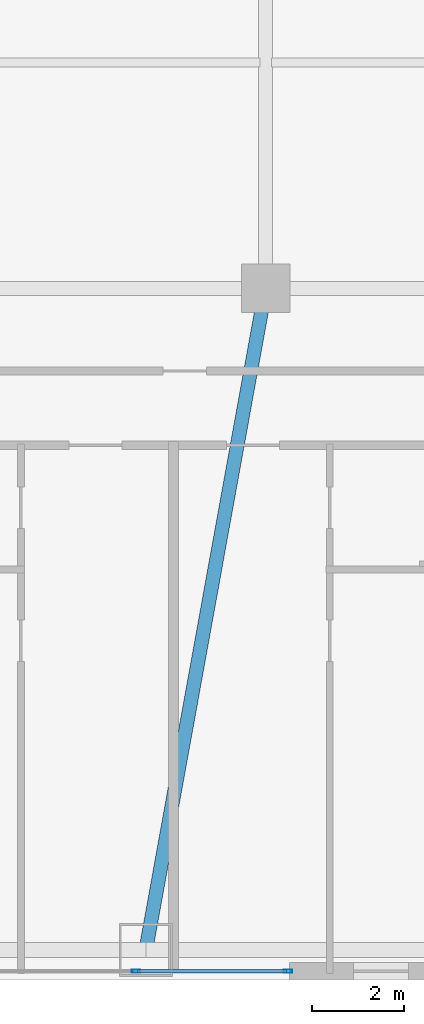
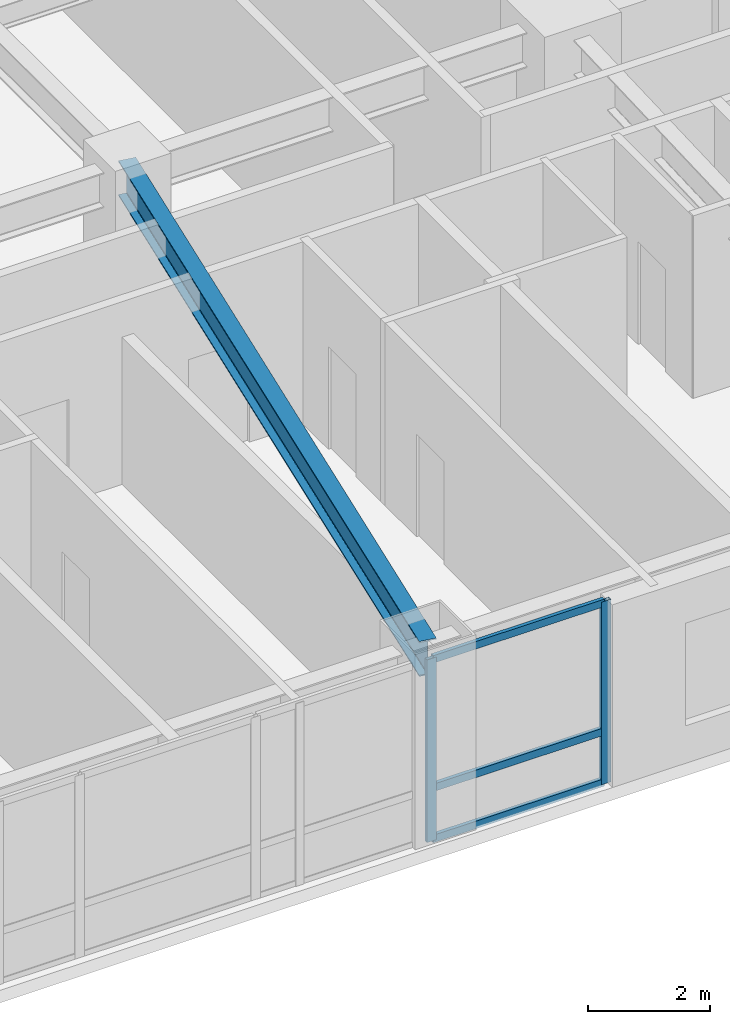
# One storey, part 9 of 28: 5 members, 1 beam, 1 element without a shape of its own.
"""IFC4 building model written with IfcOpenShell, lengths in metres."""

from ifc_helpers import new_model, si_unit, direction, frame, origin, origin_2d, place, context, subcontext, project, spatial, hollow_rectangle, i_section, extrude, material, layer, layer_set, material_profile, profile_set, type_object, element, aggregate, save


model = new_model("IFC4")

# Units and contexts
model_context = context("Model", 3, precision=1e-05, world=origin(), true_north=direction((0.0, 1.0)))
body_context = subcontext(model_context, "Body", "Model", "MODEL_VIEW")
ifc_project = project(units=[si_unit("LENGTHUNIT", "METRE"), si_unit("AREAUNIT", "SQUARE_METRE"), si_unit("VOLUMEUNIT", "CUBIC_METRE"), si_unit("PLANEANGLEUNIT", "RADIAN"), si_unit("MASSUNIT", "GRAM", prefix="KILO")], contexts=[model_context])

# Site, building, storey
site_placement = place(None, origin())
site = spatial("IfcSite", under=ifc_project, at=site_placement, CompositionType="ELEMENT")
building_placement = place(site_placement, origin())
building = spatial("IfcBuilding", under=site, at=building_placement, Name="Voryun Gate Residences", CompositionType="ELEMENT")
storey_placement = place(building_placement, frame((0.0, 0.0, 61.10009765625)))
storey = spatial("IfcBuildingStorey", under=building, at=storey_placement, Name="L14", CompositionType="ELEMENT", Elevation=61.10009765625)

# Beam
ifc_material_1 = material(Name="Steel SM355", Category="steel")
ifc_material_profile_1 = material_profile(ifc_material_1, i_section(OverallWidth=0.300048828125, OverallDepth=0.699951171875, WebThickness=0.012939453125, FlangeThickness=0.02392578125, FilletRadius=0.01806640625, at=origin_2d()), Name="H-700x300x13x24")
ifc_profile_set_1 = profile_set([ifc_material_profile_1], Name="Steel SM355")
beam_type = type_object("IfcBeamType", Name="BM_GIRD_700", PredefinedType="USERDEFINED", material=ifc_profile_set_1)
beam_placement = place(storey_placement, frame((4.199951171875, -7.39990234375, 3.2998046875), z_axis=(-0.178271088758, -0.983981411874, 0.0), x_axis=(0.983981411874, -0.178271088758, 0.0)))
element("IfcBeam", 1, at=beam_placement, inside=storey, type_object=beam_type, Name="BM-L14-RAD-S4", ObjectType="GIRDER", PredefinedType="USERDEFINED", context=body_context, shape_type="SweptSolid", body=[
    extrude(i_section(OverallWidth=0.300048828125, OverallDepth=0.699951171875, WebThickness=0.012939453125, FlangeThickness=0.02392578125, FilletRadius=0.01806640625, at=origin_2d()), origin(), (0.0, 0.0, 1.0), 14.583740234375),
])

# Curtain wall, members
ifc_material_2 = material(Name="Anodised aluminium", Category="aluminium")
ifc_layer = layer(ifc_material_2, 0.179931640625, Name="CW_SYS_RES_A_DARK_GLASS")
ifc_layer_set = layer_set([ifc_layer], Name="Anodised aluminium")
curtain_wall_type = type_object("IfcCurtainWallType", Name="CW_SYS_RES_A_DARK_GLASS", PredefinedType="NOTDEFINED", material=ifc_layer_set)
curtain_wall_placement = place(storey_placement, origin())
curtain_wall = element("IfcCurtainWall", 2, at=curtain_wall_placement, inside=storey, type_object=curtain_wall_type, Name="Curtain wall CWT-L14-01", PredefinedType="NOTDEFINED")
ifc_material_3 = material(Name="Anodised aluminium", Category="aluminium")
ifc_material_profile_2 = material_profile(ifc_material_3, hollow_rectangle(XDim=0.070068359375, YDim=0.179931640625, WallThickness=0.00390625, at=origin_2d()), Name="ALU-MULL-180x70x4")
ifc_profile_set_2 = profile_set([ifc_material_profile_2], Name="Anodised aluminium")
member_type_1 = type_object("IfcMemberType", Name="CW_MULL_RES", PredefinedType="MULLION", material=ifc_profile_set_2)
member_1_placement = place(storey_placement, frame((4.68408203125, -22.2099609375, 0.0), z_axis=(0.0, 0.0, 1.0), x_axis=(0.0, -1.0, 0.0)))
member_1 = element("IfcMember", 3, at=member_1_placement, type_object=member_type_1, Name="CW3 mullion 1", PredefinedType="MULLION", context=body_context, shape_type="SweptSolid", body=[
    extrude(hollow_rectangle(XDim=0.070068359375, YDim=0.179931640625, WallThickness=0.00390625, at=origin_2d()), origin(), (0.0, 0.0, 1.0), 3.64990234375),
])
member_2_placement = place(storey_placement, frame((1.388427734375, -22.2099609375, 0.0), z_axis=(0.0, 0.0, 1.0), x_axis=(0.0, -1.0, 0.0)))
member_2 = element("IfcMember", 4, at=member_2_placement, type_object=member_type_1, Name="CW3 mullion 2", PredefinedType="MULLION", context=body_context, shape_type="SweptSolid", body=[
    extrude(hollow_rectangle(XDim=0.070068359375, YDim=0.179931640625, WallThickness=0.00390625, at=origin_2d()), origin(), (0.0, 0.0, 1.0), 3.64990234375),
])
ifc_material_4 = material(Name="Anodised aluminium", Category="aluminium")
ifc_material_profile_3 = material_profile(ifc_material_4, hollow_rectangle(XDim=0.070068359375, YDim=0.14990234375, WallThickness=0.00390625, at=origin_2d()), Name="ALU-TRAN-150x70x4")
ifc_profile_set_3 = profile_set([ifc_material_profile_3], Name="Anodised aluminium")
member_type_2 = type_object("IfcMemberType", Name="CW_TRAN_RES", PredefinedType="USERDEFINED", material=ifc_profile_set_3)
member_3_placement = place(storey_placement, frame((4.654052734375, -22.2099609375, 0.02978515625), z_axis=(-1.0, 0.0, 0.0), x_axis=(0.0, -1.0, 0.0)))
member_3 = element("IfcMember", 5, at=member_3_placement, type_object=member_type_2, Name="CW3 transom 1.1", ObjectType="TRANSOM", PredefinedType="USERDEFINED", context=body_context, shape_type="SweptSolid", body=[
    extrude(hollow_rectangle(XDim=0.070068359375, YDim=0.14990234375, WallThickness=0.00390625, at=origin_2d()), origin(), (0.0, 0.0, 1.0), 3.235595703125),
])
member_4_placement = place(storey_placement, frame((4.654052734375, -22.2099609375, 1.0498046875), z_axis=(-1.0, 0.0, 0.0), x_axis=(0.0, -1.0, 0.0)))
member_4 = element("IfcMember", 6, at=member_4_placement, type_object=member_type_2, Name="CW3 transom 1.2", ObjectType="TRANSOM", PredefinedType="USERDEFINED", context=body_context, shape_type="SweptSolid", body=[
    extrude(hollow_rectangle(XDim=0.070068359375, YDim=0.14990234375, WallThickness=0.00390625, at=origin_2d()), origin(), (0.0, 0.0, 1.0), 3.235595703125),
])
member_5_placement = place(storey_placement, frame((4.654052734375, -22.2099609375, 3.619873046875), z_axis=(-1.0, 0.0, 0.0), x_axis=(0.0, -1.0, 0.0)))
member_5 = element("IfcMember", 7, at=member_5_placement, type_object=member_type_2, Name="CW3 transom 1.3", ObjectType="TRANSOM", PredefinedType="USERDEFINED", context=body_context, shape_type="SweptSolid", body=[
    extrude(hollow_rectangle(XDim=0.070068359375, YDim=0.14990234375, WallThickness=0.00390625, at=origin_2d()), origin(), (0.0, 0.0, 1.0), 3.235595703125),
])
aggregate(curtain_wall, [member_1, member_2, member_3, member_4, member_5])

save(model, "model.ifc")
